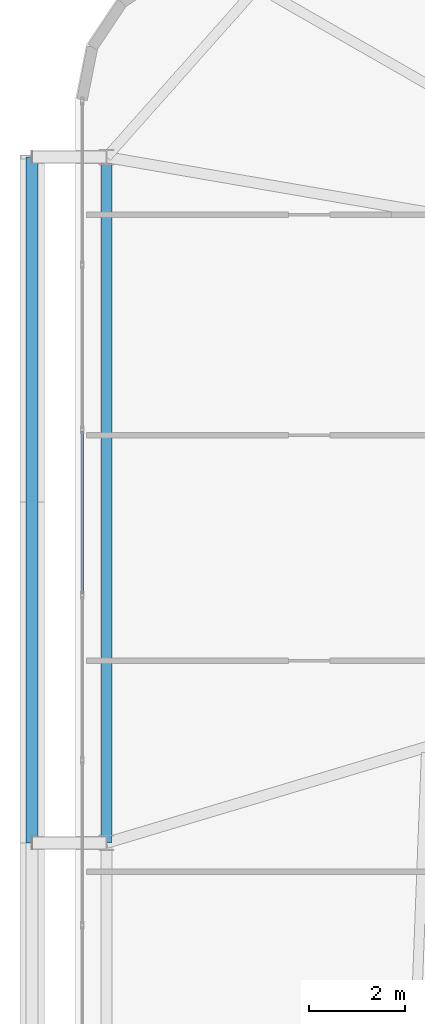
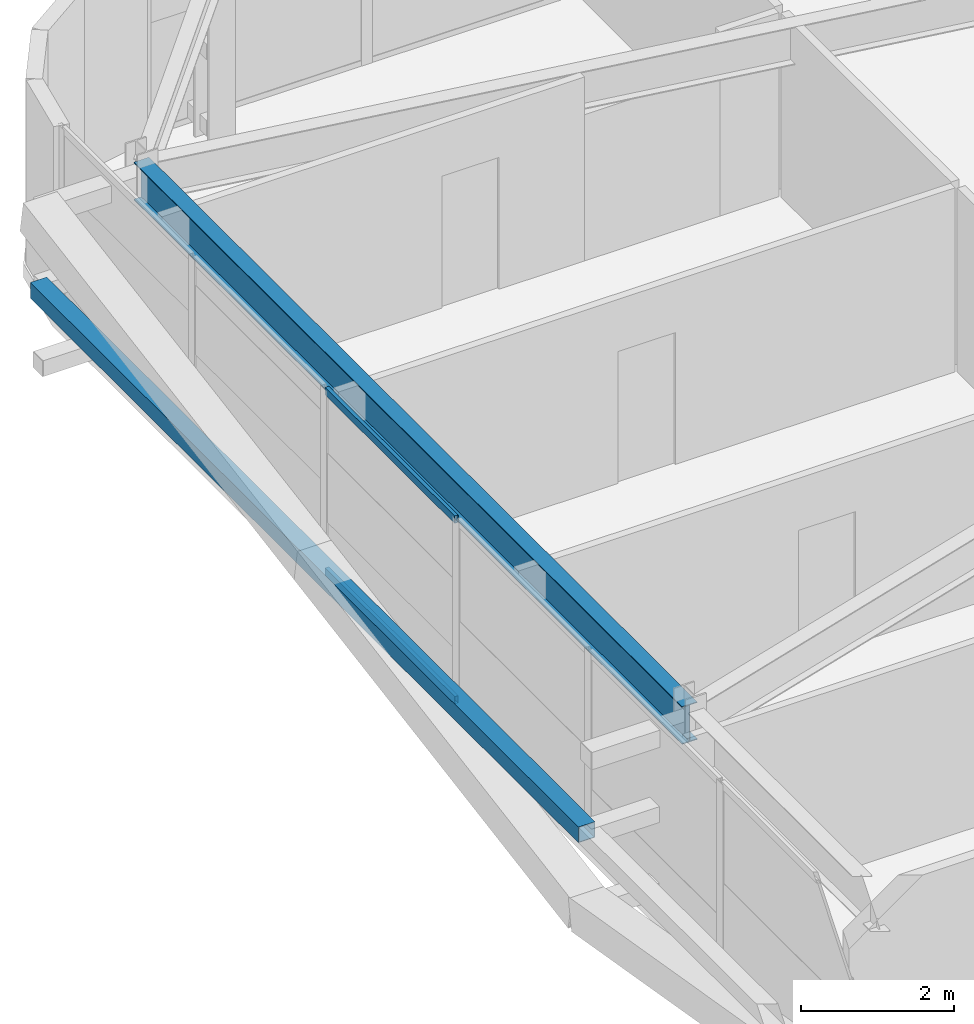
# One storey, part 17 of 59: 3 members, 1 beam, 1 element without a shape of its own.
"""IFC4 building model written with IfcOpenShell, lengths in metres."""

from ifc_helpers import new_model, si_unit, direction, frame, origin, origin_2d, place, context, subcontext, project, spatial, hollow_rectangle, i_section, extrude, source, transform, mapped, material, layer, layer_set, material_profile, profile_set, type_object, element, aggregate, save


model = new_model("IFC4")

# Units and contexts
model_context = context("Model", 3, precision=1e-05, world=origin(), true_north=direction((0.0, 1.0)))
body_context = subcontext(model_context, "Body", "Model", "MODEL_VIEW")
ifc_project = project(units=[si_unit("LENGTHUNIT", "METRE"), si_unit("AREAUNIT", "SQUARE_METRE"), si_unit("VOLUMEUNIT", "CUBIC_METRE"), si_unit("PLANEANGLEUNIT", "RADIAN"), si_unit("MASSUNIT", "GRAM", prefix="KILO")], contexts=[model_context])

# Site, building, storey
site_placement = place(None, origin())
site = spatial("IfcSite", under=ifc_project, at=site_placement, CompositionType="ELEMENT")
building_placement = place(site_placement, origin())
building = spatial("IfcBuilding", under=site, at=building_placement, Name="Taldren Reach Tower", CompositionType="ELEMENT")
storey_placement = place(building_placement, frame((0.0, 0.0, 19.949951171875)))
storey = spatial("IfcBuildingStorey", under=building, at=storey_placement, Name="L05", CompositionType="ELEMENT", Elevation=19.949951171875)

# Beam
ifc_material_1 = material(Name="Steel Gr 350 (350PLUS)", Category="steel")
ifc_material_profile_1 = material_profile(ifc_material_1, i_section(OverallWidth=0.22802734375, OverallDepth=0.60205078125, WebThickness=0.010498046875, FlangeThickness=0.014892578125, at=origin_2d()), Name="610UB101")
ifc_profile_set_1 = profile_set([ifc_material_profile_1], Name="Steel Gr 350 (350PLUS)")
beam_type = type_object("IfcBeamType", Name="BM-UB610B", PredefinedType="BEAM", material=ifc_profile_set_1)
shared_shape_1 = source(origin(), body_context, "Body", "SweptSolid", [
    extrude(i_section(OverallWidth=0.22802734375, OverallDepth=0.60205078125, WebThickness=0.010498046875, FlangeThickness=0.014892578125, at=origin_2d()), origin(), (0.0, 0.0, 1.0), 14.300048828125),
])
beam_placement = place(storey_placement, frame((5.64990234375, 34.300048828125, 2.629150390625), z_axis=(0.0, -1.0, 0.0), x_axis=(1.0, 0.0, 0.0)))
element("IfcBeam", 1, at=beam_placement, inside=storey, type_object=beam_type, Name="Perimeter gable girder B1 W3-W2 L05", PredefinedType="BEAM", context=body_context, shape_type="MappedRepresentation", body=[
    mapped(shared_shape_1, transform((0.0, 0.0, 0.0), scale=1.0)),
])

# Member
ifc_material_2 = material(Name="Steel Gr 350 (C350L0)", Category="steel")
ifc_material_profile_2 = material_profile(ifc_material_2, hollow_rectangle(XDim=0.25, YDim=0.25, WallThickness=0.010009765625, at=origin_2d()), Name="250x250x10.0SHS")
ifc_profile_set_2 = profile_set([ifc_material_profile_2], Name="Steel Gr 350 (C350L0)")
member_type_1 = type_object("IfcMemberType", Name="MB-POST250", PredefinedType="POST", material=ifc_profile_set_2)
shared_shape_2 = source(origin(), body_context, "Body", "SweptSolid", [
    extrude(hollow_rectangle(XDim=0.25, YDim=0.25, WallThickness=0.010009765625, at=origin_2d()), origin(), (0.0, 0.0, 1.0), 14.300048828125),
])
member_1_placement = place(storey_placement, frame((4.10009765625, 20.0, 1.43505859375), z_axis=(0.0, 1.0, 0.0), x_axis=(-1.0, 0.0, 0.0)))
element("IfcMember", 2, at=member_1_placement, inside=storey, type_object=member_type_1, Name="Exoskeleton mid-height ring chord B1-W2 L05", PredefinedType="POST", context=body_context, shape_type="MappedRepresentation", body=[
    mapped(shared_shape_2, transform((0.0, 0.0, 0.0), scale=1.0)),
])

# Curtain wall, members
ifc_material_3 = material(Name="Aluminium and Low-E Glass Unitised System", Category="aluminium")
ifc_layer = layer(ifc_material_3, 0.159912109375)
ifc_layer_set = layer_set([ifc_layer], Name="Aluminium and Low-E Glass Unitised System")
curtain_wall_type = type_object("IfcCurtainWallType", Name="CW-SYS-2", PredefinedType="NOTDEFINED", material=ifc_layer_set)
curtain_wall_placement = place(storey_placement, origin())
curtain_wall = element("IfcCurtainWall", 3, at=curtain_wall_placement, inside=storey, type_object=curtain_wall_type, Name="Unitised curtain wall CW-L05-W", PredefinedType="NOTDEFINED")
ifc_material_4 = material(Name="Anodised Aluminium 6063-T6", Category="aluminium")
ifc_material_profile_3 = material_profile(ifc_material_4, hollow_rectangle(XDim=0.054931640625, YDim=0.1201171875, WallThickness=0.0029296875, at=origin_2d()), Name="ALU-120x55x3RHS")
ifc_profile_set_3 = profile_set([ifc_material_profile_3], Name="Anodised Aluminium 6063-T6")
member_type_2 = type_object("IfcMemberType", Name="CW-TRN-135", PredefinedType="USERDEFINED", material=ifc_profile_set_3)
shared_shape_3 = source(origin(), body_context, "Body", "SweptSolid", [
    extrude(hollow_rectangle(XDim=0.054931640625, YDim=0.1201171875, WallThickness=0.0029296875, at=origin_2d()), origin(), (0.0, 0.0, 1.0), 3.37939453125),
])
member_2_placement = place(storey_placement, frame((5.139892578125, 28.57861328125, 0.027587890625), z_axis=(0.0, -1.0, 0.0), x_axis=(1.0, 0.0, 0.0)))
member_2 = element("IfcMember", 4, at=member_2_placement, type_object=member_type_2, Name="CW-2 transom 3.1", ObjectType="TRANSOM", PredefinedType="USERDEFINED", context=body_context, shape_type="MappedRepresentation", body=[
    mapped(shared_shape_3, transform((0.0, 0.0, 0.0), scale=1.0)),
])
member_3_placement = place(storey_placement, frame((5.139892578125, 28.57861328125, 2.902587890625), z_axis=(0.0, -1.0, 0.0), x_axis=(1.0, 0.0, 0.0)))
member_3 = element("IfcMember", 5, at=member_3_placement, type_object=member_type_2, Name="CW-2 transom 3.2", ObjectType="TRANSOM", PredefinedType="USERDEFINED", context=body_context, shape_type="MappedRepresentation", body=[
    mapped(shared_shape_3, transform((0.0, 0.0, 0.0), scale=1.0)),
])
aggregate(curtain_wall, [member_2, member_3])

save(model, "model.ifc")
